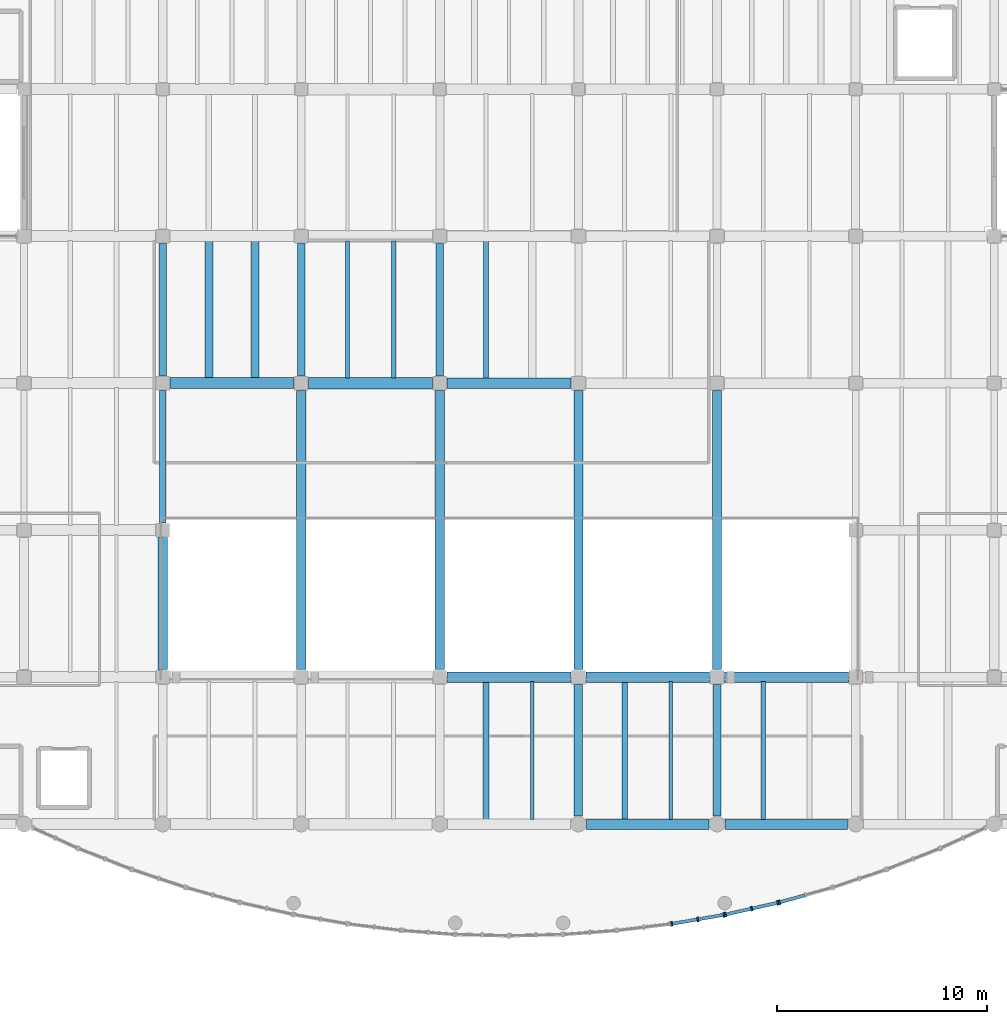
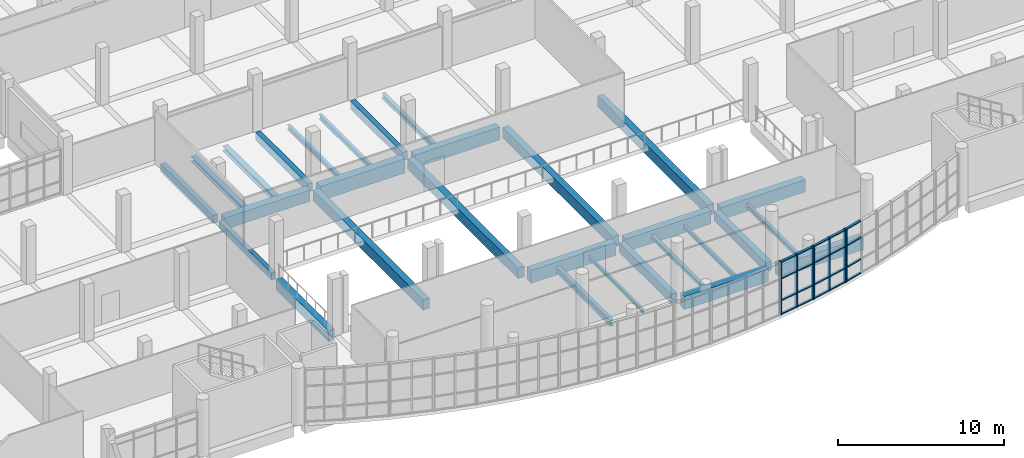
# One storey, part 13 of 68: 29 beams, 27 members, 3 elements without a shape of their own.
"""IFC4 building model written with IfcOpenShell, lengths in metres."""

from ifc_helpers import new_model, si_unit, direction, frame, origin, origin_2d, place, context, subcontext, project, spatial, rectangle, i_section, extrude, material, material_profile, profile_set, type_object, element, aggregate, save


model = new_model("IFC4")

# Units and contexts
model_context = context("Model", 3, precision=1e-05, world=origin(), true_north=direction((0.0, 1.0)))
body_context = subcontext(model_context, "Body", "Model", "MODEL_VIEW")
ifc_project = project(units=[si_unit("LENGTHUNIT", "METRE"), si_unit("AREAUNIT", "SQUARE_METRE"), si_unit("VOLUMEUNIT", "CUBIC_METRE"), si_unit("PLANEANGLEUNIT", "RADIAN"), si_unit("MASSUNIT", "GRAM", prefix="KILO")], contexts=[model_context])

# Site, building, storey
site_placement = place(None, origin())
site = spatial("IfcSite", under=ifc_project, at=site_placement, CompositionType="ELEMENT")
building_placement = place(site_placement, origin())
building = spatial("IfcBuilding", under=site, at=building_placement, Name="Ciguamira Faculty of Natural Sciences", CompositionType="ELEMENT")
storey_placement = place(building_placement, frame((0.0, 0.0, 4.199951171875)))
storey = spatial("IfcBuildingStorey", under=building, at=storey_placement, Name="L01", CompositionType="ELEMENT", Elevation=4.199951171875)

# Curtain wall, members
ifc_material_1 = material(Name="Anodized aluminium curtain wall", Category="aluminium")
curtain_wall_type_1 = type_object("IfcCurtainWallType", Name="CurtainWall_CW-12", PredefinedType="USERDEFINED", material=ifc_material_1)
curtain_wall_1_placement = place(storey_placement, origin())
curtain_wall_1 = element("IfcCurtainWall", 1, at=curtain_wall_1_placement, inside=storey, type_object=curtain_wall_type_1, Name="L01 south gallery curved curtain wall 13", ObjectType="UNITISED CURTAIN WALL", PredefinedType="USERDEFINED")
ifc_material_2 = material(Name="Anodized aluminium mullion", Category="aluminium")
ifc_material_profile_1 = material_profile(ifc_material_2, rectangle(XDim=0.080078125, YDim=0.219970703125, at=origin_2d()), Name="ALU-MUL-80X220")
ifc_profile_set_1 = profile_set([ifc_material_profile_1], Name="Anodized aluminium mullion")
member_type_1 = type_object("IfcMemberType", Name="CWMullion_CWM-03", PredefinedType="MULLION", material=ifc_profile_set_1)
member_1_placement = place(storey_placement, frame((94.739501953125, 5.25, 0.0), z_axis=(0.0, 0.0, 1.0), x_axis=(0.985410865099, 0.170192323402, 0.0)))
member_1 = element("IfcMember", 2, at=member_1_placement, type_object=member_type_1, Name="CW-12 mullion 1", PredefinedType="MULLION", context=body_context, shape_type="SweptSolid", body=[
    extrude(rectangle(XDim=0.080078125, YDim=0.219970703125, at=origin_2d()), origin(), (0.0, 0.0, 1.0), 3.900146484375),
])
member_2_placement = place(storey_placement, frame((95.9833984375, 5.46484375, 0.0), z_axis=(0.0, 0.0, 1.0), x_axis=(0.985410865099, 0.170192323402, 0.0)))
member_2 = element("IfcMember", 3, at=member_2_placement, type_object=member_type_1, Name="CW-12 mullion 2", PredefinedType="MULLION", context=body_context, shape_type="SweptSolid", body=[
    extrude(rectangle(XDim=0.080078125, YDim=0.219970703125, at=origin_2d()), origin(), (0.0, 0.0, 1.0), 3.900146484375),
])
member_3_placement = place(storey_placement, frame((97.227294921875, 5.6796875, 0.0), z_axis=(0.0, 0.0, 1.0), x_axis=(0.985410865099, 0.170192323402, 0.0)))
member_3 = element("IfcMember", 4, at=member_3_placement, type_object=member_type_1, Name="CW-12 mullion 3", PredefinedType="MULLION", context=body_context, shape_type="SweptSolid", body=[
    extrude(rectangle(XDim=0.080078125, YDim=0.219970703125, at=origin_2d()), origin(), (0.0, 0.0, 1.0), 3.900146484375),
])

curtain_wall_type_2 = type_object("IfcCurtainWallType", Name="CurtainWall_CW-01", PredefinedType="USERDEFINED", material=ifc_material_1)
curtain_wall_2_placement = place(storey_placement, origin())
curtain_wall_2 = element("IfcCurtainWall", 5, at=curtain_wall_2_placement, inside=storey, type_object=curtain_wall_type_2, Name="L01 south gallery curved curtain wall 14", ObjectType="UNITISED CURTAIN WALL", PredefinedType="USERDEFINED")
member_4_placement = place(storey_placement, frame((97.3056640625, 5.6953125, 0.0), z_axis=(0.0, 0.0, 1.0), x_axis=(0.975762990759, 0.218830038763, 0.0)))
member_4 = element("IfcMember", 6, at=member_4_placement, type_object=member_type_1, Name="CW-01 mullion 1", PredefinedType="MULLION", context=body_context, shape_type="SweptSolid", body=[
    extrude(rectangle(XDim=0.080078125, YDim=0.219970703125, at=origin_2d()), origin(), (0.0, 0.0, 1.0), 3.900146484375),
])
member_5_placement = place(storey_placement, frame((98.550048828125, 5.974365234375, 0.0), z_axis=(0.0, 0.0, 1.0), x_axis=(0.975762990759, 0.218830038763, 0.0)))
member_5 = element("IfcMember", 7, at=member_5_placement, type_object=member_type_1, Name="CW-01 mullion 2", PredefinedType="MULLION", context=body_context, shape_type="SweptSolid", body=[
    extrude(rectangle(XDim=0.080078125, YDim=0.219970703125, at=origin_2d()), origin(), (0.0, 0.0, 1.0), 3.900146484375),
])
member_6_placement = place(storey_placement, frame((99.794189453125, 6.25341796875, 0.0), z_axis=(0.0, 0.0, 1.0), x_axis=(0.975762990759, 0.218830038763, 0.0)))
member_6 = element("IfcMember", 8, at=member_6_placement, type_object=member_type_1, Name="CW-01 mullion 3", PredefinedType="MULLION", context=body_context, shape_type="SweptSolid", body=[
    extrude(rectangle(XDim=0.080078125, YDim=0.219970703125, at=origin_2d()), origin(), (0.0, 0.0, 1.0), 3.900146484375),
])

# Curtain wall, member
curtain_wall_type_3 = type_object("IfcCurtainWallType", Name="CurtainWall_CW-02", PredefinedType="USERDEFINED", material=ifc_material_1)
curtain_wall_3_placement = place(storey_placement, origin())
curtain_wall_3 = element("IfcCurtainWall", 9, at=curtain_wall_3_placement, inside=storey, type_object=curtain_wall_type_3, Name="L01 south gallery curved curtain wall 15", ObjectType="UNITISED CURTAIN WALL", PredefinedType="USERDEFINED")
member_7_placement = place(storey_placement, frame((99.871826171875, 6.272705078125, 0.0), z_axis=(0.0, 0.0, 1.0), x_axis=(0.963573286652, 0.267444426472, 0.0)))
member_7 = element("IfcMember", 10, at=member_7_placement, type_object=member_type_1, Name="CW-02 mullion 1", PredefinedType="MULLION", context=body_context, shape_type="SweptSolid", body=[
    extrude(rectangle(XDim=0.080078125, YDim=0.219970703125, at=origin_2d()), origin(), (0.0, 0.0, 1.0), 3.900146484375),
])

# Member
ifc_material_3 = material(Name="Anodized aluminium transom", Category="aluminium")
ifc_material_profile_2 = material_profile(ifc_material_3, rectangle(XDim=0.080078125, YDim=0.159912109375, at=origin_2d()), Name="ALU-TRN-80X160")
ifc_profile_set_2 = profile_set([ifc_material_profile_2], Name="Anodized aluminium transom")
member_type_2 = type_object("IfcMemberType", Name="CWTransom_CWT-03", PredefinedType="USERDEFINED", material=ifc_profile_set_2)
member_8_placement = place(storey_placement, frame((94.77880859375, 5.2568359375, 0.0400390625), z_axis=(0.985417162859, 0.170155855448, 0.0), x_axis=(0.0, 0.0, 1.0)))
member_8 = element("IfcMember", 11, at=member_8_placement, type_object=member_type_2, Name="CW-12 transom 1.1", ObjectType="TRANSOM", PredefinedType="USERDEFINED", context=body_context, shape_type="SweptSolid", body=[
    extrude(rectangle(XDim=0.080078125, YDim=0.159912109375, at=origin_2d()), origin(), (0.0, 0.0, 1.0), 1.182373046875),
])

member_9_placement = place(storey_placement, frame((94.77880859375, 5.2568359375, 1.050048828125), z_axis=(0.985417162859, 0.170155855448, 0.0), x_axis=(0.0, 0.0, 1.0)))
member_9 = element("IfcMember", 12, at=member_9_placement, type_object=member_type_2, Name="CW-12 transom 1.2", ObjectType="TRANSOM", PredefinedType="USERDEFINED", context=body_context, shape_type="SweptSolid", body=[
    extrude(rectangle(XDim=0.080078125, YDim=0.159912109375, at=origin_2d()), origin(), (0.0, 0.0, 1.0), 1.182373046875),
])

member_10_placement = place(storey_placement, frame((94.77880859375, 5.2568359375, 2.650146484375), z_axis=(0.985417162859, 0.170155855448, 0.0), x_axis=(0.0, 0.0, 1.0)))
member_10 = element("IfcMember", 13, at=member_10_placement, type_object=member_type_2, Name="CW-12 transom 1.3", ObjectType="TRANSOM", PredefinedType="USERDEFINED", context=body_context, shape_type="SweptSolid", body=[
    extrude(rectangle(XDim=0.080078125, YDim=0.159912109375, at=origin_2d()), origin(), (0.0, 0.0, 1.0), 1.182373046875),
])

member_11_placement = place(storey_placement, frame((94.77880859375, 5.2568359375, 3.860107421875), z_axis=(0.985417162859, 0.170155855448, 0.0), x_axis=(0.0, 0.0, 1.0)))
member_11 = element("IfcMember", 14, at=member_11_placement, type_object=member_type_2, Name="CW-12 transom 1.4", ObjectType="TRANSOM", PredefinedType="USERDEFINED", context=body_context, shape_type="SweptSolid", body=[
    extrude(rectangle(XDim=0.080078125, YDim=0.159912109375, at=origin_2d()), origin(), (0.0, 0.0, 1.0), 1.182373046875),
])

member_12_placement = place(storey_placement, frame((96.022705078125, 5.4716796875, 0.0400390625), z_axis=(0.985423139827, 0.170121237632, 0.0), x_axis=(0.0, 0.0, 1.0)))
member_12 = element("IfcMember", 15, at=member_12_placement, type_object=member_type_2, Name="CW-12 transom 2.1", ObjectType="TRANSOM", PredefinedType="USERDEFINED", context=body_context, shape_type="SweptSolid", body=[
    extrude(rectangle(XDim=0.080078125, YDim=0.159912109375, at=origin_2d()), origin(), (0.0, 0.0, 1.0), 1.1826171875),
])

member_13_placement = place(storey_placement, frame((96.022705078125, 5.4716796875, 1.050048828125), z_axis=(0.985423139827, 0.170121237632, 0.0), x_axis=(0.0, 0.0, 1.0)))
member_13 = element("IfcMember", 16, at=member_13_placement, type_object=member_type_2, Name="CW-12 transom 2.2", ObjectType="TRANSOM", PredefinedType="USERDEFINED", context=body_context, shape_type="SweptSolid", body=[
    extrude(rectangle(XDim=0.080078125, YDim=0.159912109375, at=origin_2d()), origin(), (0.0, 0.0, 1.0), 1.1826171875),
])

member_14_placement = place(storey_placement, frame((96.022705078125, 5.4716796875, 2.650146484375), z_axis=(0.985423139827, 0.170121237632, 0.0), x_axis=(0.0, 0.0, 1.0)))
member_14 = element("IfcMember", 17, at=member_14_placement, type_object=member_type_2, Name="CW-12 transom 2.3", ObjectType="TRANSOM", PredefinedType="USERDEFINED", context=body_context, shape_type="SweptSolid", body=[
    extrude(rectangle(XDim=0.080078125, YDim=0.159912109375, at=origin_2d()), origin(), (0.0, 0.0, 1.0), 1.1826171875),
])

member_15_placement = place(storey_placement, frame((96.022705078125, 5.4716796875, 3.860107421875), z_axis=(0.985423139827, 0.170121237632, 0.0), x_axis=(0.0, 0.0, 1.0)))
member_15 = element("IfcMember", 18, at=member_15_placement, type_object=member_type_2, Name="CW-12 transom 2.4", ObjectType="TRANSOM", PredefinedType="USERDEFINED", context=body_context, shape_type="SweptSolid", body=[
    extrude(rectangle(XDim=0.080078125, YDim=0.159912109375, at=origin_2d()), origin(), (0.0, 0.0, 1.0), 1.1826171875),
])

aggregate(curtain_wall_1, [member_1, member_2, member_3, member_8, member_9, member_10, member_11, member_12, member_13, member_14, member_15])

member_16_placement = place(storey_placement, frame((97.3447265625, 5.7041015625, 0.0400390625), z_axis=(0.97577679791, 0.218768463588, 0.0), x_axis=(0.0, 0.0, 1.0)))
member_16 = element("IfcMember", 19, at=member_16_placement, type_object=member_type_2, Name="CW-01 transom 1.1", ObjectType="TRANSOM", PredefinedType="USERDEFINED", context=body_context, shape_type="SweptSolid", body=[
    extrude(rectangle(XDim=0.080078125, YDim=0.159912109375, at=origin_2d()), origin(), (0.0, 0.0, 1.0), 1.1953125),
])

member_17_placement = place(storey_placement, frame((97.3447265625, 5.7041015625, 1.050048828125), z_axis=(0.97577679791, 0.218768463588, 0.0), x_axis=(0.0, 0.0, 1.0)))
member_17 = element("IfcMember", 20, at=member_17_placement, type_object=member_type_2, Name="CW-01 transom 1.2", ObjectType="TRANSOM", PredefinedType="USERDEFINED", context=body_context, shape_type="SweptSolid", body=[
    extrude(rectangle(XDim=0.080078125, YDim=0.159912109375, at=origin_2d()), origin(), (0.0, 0.0, 1.0), 1.1953125),
])

member_18_placement = place(storey_placement, frame((97.3447265625, 5.7041015625, 2.650146484375), z_axis=(0.97577679791, 0.218768463588, 0.0), x_axis=(0.0, 0.0, 1.0)))
member_18 = element("IfcMember", 21, at=member_18_placement, type_object=member_type_2, Name="CW-01 transom 1.3", ObjectType="TRANSOM", PredefinedType="USERDEFINED", context=body_context, shape_type="SweptSolid", body=[
    extrude(rectangle(XDim=0.080078125, YDim=0.159912109375, at=origin_2d()), origin(), (0.0, 0.0, 1.0), 1.1953125),
])

member_19_placement = place(storey_placement, frame((97.3447265625, 5.7041015625, 3.860107421875), z_axis=(0.97577679791, 0.218768463588, 0.0), x_axis=(0.0, 0.0, 1.0)))
member_19 = element("IfcMember", 22, at=member_19_placement, type_object=member_type_2, Name="CW-01 transom 1.4", ObjectType="TRANSOM", PredefinedType="USERDEFINED", context=body_context, shape_type="SweptSolid", body=[
    extrude(rectangle(XDim=0.080078125, YDim=0.159912109375, at=origin_2d()), origin(), (0.0, 0.0, 1.0), 1.1953125),
])

member_20_placement = place(storey_placement, frame((98.589111328125, 5.983154296875, 0.0400390625), z_axis=(0.975767018908, 0.218812076476, 0.0), x_axis=(0.0, 0.0, 1.0)))
member_20 = element("IfcMember", 23, at=member_20_placement, type_object=member_type_2, Name="CW-01 transom 2.1", ObjectType="TRANSOM", PredefinedType="USERDEFINED", context=body_context, shape_type="SweptSolid", body=[
    extrude(rectangle(XDim=0.080078125, YDim=0.159912109375, at=origin_2d()), origin(), (0.0, 0.0, 1.0), 1.195068359375),
])

member_21_placement = place(storey_placement, frame((98.589111328125, 5.983154296875, 1.050048828125), z_axis=(0.975767018908, 0.218812076476, 0.0), x_axis=(0.0, 0.0, 1.0)))
member_21 = element("IfcMember", 24, at=member_21_placement, type_object=member_type_2, Name="CW-01 transom 2.2", ObjectType="TRANSOM", PredefinedType="USERDEFINED", context=body_context, shape_type="SweptSolid", body=[
    extrude(rectangle(XDim=0.080078125, YDim=0.159912109375, at=origin_2d()), origin(), (0.0, 0.0, 1.0), 1.195068359375),
])

member_22_placement = place(storey_placement, frame((98.589111328125, 5.983154296875, 2.650146484375), z_axis=(0.975767018908, 0.218812076476, 0.0), x_axis=(0.0, 0.0, 1.0)))
member_22 = element("IfcMember", 25, at=member_22_placement, type_object=member_type_2, Name="CW-01 transom 2.3", ObjectType="TRANSOM", PredefinedType="USERDEFINED", context=body_context, shape_type="SweptSolid", body=[
    extrude(rectangle(XDim=0.080078125, YDim=0.159912109375, at=origin_2d()), origin(), (0.0, 0.0, 1.0), 1.195068359375),
])

member_23_placement = place(storey_placement, frame((98.589111328125, 5.983154296875, 3.860107421875), z_axis=(0.975767018908, 0.218812076476, 0.0), x_axis=(0.0, 0.0, 1.0)))
member_23 = element("IfcMember", 26, at=member_23_placement, type_object=member_type_2, Name="CW-01 transom 2.4", ObjectType="TRANSOM", PredefinedType="USERDEFINED", context=body_context, shape_type="SweptSolid", body=[
    extrude(rectangle(XDim=0.080078125, YDim=0.159912109375, at=origin_2d()), origin(), (0.0, 0.0, 1.0), 1.195068359375),
])

aggregate(curtain_wall_2, [member_4, member_5, member_6, member_16, member_17, member_18, member_19, member_20, member_21, member_22, member_23])

member_24_placement = place(storey_placement, frame((99.910400390625, 6.283447265625, 0.0400390625), z_axis=(0.963549650457, 0.267529570522, 0.0), x_axis=(0.0, 0.0, 1.0)))
member_24 = element("IfcMember", 27, at=member_24_placement, type_object=member_type_2, Name="CW-02 transom 1.1", ObjectType="TRANSOM", PredefinedType="USERDEFINED", context=body_context, shape_type="SweptSolid", body=[
    extrude(rectangle(XDim=0.080078125, YDim=0.159912109375, at=origin_2d()), origin(), (0.0, 0.0, 1.0), 1.2119140625),
])

member_25_placement = place(storey_placement, frame((99.910400390625, 6.283447265625, 1.050048828125), z_axis=(0.963549650457, 0.267529570522, 0.0), x_axis=(0.0, 0.0, 1.0)))
member_25 = element("IfcMember", 28, at=member_25_placement, type_object=member_type_2, Name="CW-02 transom 1.2", ObjectType="TRANSOM", PredefinedType="USERDEFINED", context=body_context, shape_type="SweptSolid", body=[
    extrude(rectangle(XDim=0.080078125, YDim=0.159912109375, at=origin_2d()), origin(), (0.0, 0.0, 1.0), 1.2119140625),
])

member_26_placement = place(storey_placement, frame((99.910400390625, 6.283447265625, 2.650146484375), z_axis=(0.963549650457, 0.267529570522, 0.0), x_axis=(0.0, 0.0, 1.0)))
member_26 = element("IfcMember", 29, at=member_26_placement, type_object=member_type_2, Name="CW-02 transom 1.3", ObjectType="TRANSOM", PredefinedType="USERDEFINED", context=body_context, shape_type="SweptSolid", body=[
    extrude(rectangle(XDim=0.080078125, YDim=0.159912109375, at=origin_2d()), origin(), (0.0, 0.0, 1.0), 1.2119140625),
])

member_27_placement = place(storey_placement, frame((99.910400390625, 6.283447265625, 3.860107421875), z_axis=(0.963549650457, 0.267529570522, 0.0), x_axis=(0.0, 0.0, 1.0)))
member_27 = element("IfcMember", 30, at=member_27_placement, type_object=member_type_2, Name="CW-02 transom 1.4", ObjectType="TRANSOM", PredefinedType="USERDEFINED", context=body_context, shape_type="SweptSolid", body=[
    extrude(rectangle(XDim=0.080078125, YDim=0.159912109375, at=origin_2d()), origin(), (0.0, 0.0, 1.0), 1.2119140625),
])

aggregate(curtain_wall_3, [member_7, member_24, member_25, member_26, member_27])

# Beams
ifc_material_4 = material(Name="Concrete C40/50", Category="concrete")
ifc_material_profile_3 = material_profile(ifc_material_4, rectangle(XDim=0.550048828125, YDim=1.050048828125, at=origin_2d()), Name="RC-BM-550X1050")
ifc_profile_set_3 = profile_set([ifc_material_profile_3], Name="Concrete C40/50")
beam_type_1 = type_object("IfcBeamType", Name="RCBeam_BG-01_RC-BM-550X1050", PredefinedType="BEAM", material=ifc_profile_set_3)
beam_1_placement = place(storey_placement, frame((77.449951171875, 31.0, -0.52490234375), z_axis=(1.0, 0.0, 0.0), x_axis=(0.0, 1.0, 0.0)))
element("IfcBeam", 31, at=beam_1_placement, inside=storey, type_object=beam_type_1, Name="L01 RC girder EW-0439", PredefinedType="BEAM", context=body_context, shape_type="SweptSolid", body=[
    extrude(rectangle(XDim=0.550048828125, YDim=1.050048828125, at=origin_2d()), origin(), (0.0, 0.0, 1.0), 5.900146484375),
])
ifc_material_profile_4 = material_profile(ifc_material_4, rectangle(XDim=0.5, YDim=0.949951171875, at=origin_2d()), Name="RC-BM-500X950")
ifc_profile_set_4 = profile_set([ifc_material_profile_4], Name="Concrete C40/50")
beam_type_2 = type_object("IfcBeamType", Name="RCBeam_BG-02_RC-BM-500X950", PredefinedType="BEAM", material=ifc_profile_set_4)
beam_2_placement = place(storey_placement, frame((90.675048828125, 10.0, -0.474853515625), z_axis=(1.0, 0.0, 0.0), x_axis=(0.0, 1.0, 0.0)))
element("IfcBeam", 32, at=beam_2_placement, inside=storey, type_object=beam_type_2, Name="L01 RC girder EW-0385", PredefinedType="BEAM", context=body_context, shape_type="SweptSolid", body=[
    extrude(rectangle(XDim=0.5, YDim=0.949951171875, at=origin_2d()), origin(), (0.0, 0.0, 1.0), 5.849853515625),
])
beam_3_placement = place(storey_placement, frame((84.050048828125, 17.0, -0.474853515625), z_axis=(1.0, 0.0, 0.0), x_axis=(0.0, 1.0, 0.0)))
element("IfcBeam", 33, at=beam_3_placement, inside=storey, type_object=beam_type_2, Name="L01 RC girder EW-0402", PredefinedType="BEAM", context=body_context, shape_type="SweptSolid", body=[
    extrude(rectangle(XDim=0.5, YDim=0.949951171875, at=origin_2d()), origin(), (0.0, 0.0, 1.0), 5.89990234375),
])
beam_4_placement = place(storey_placement, frame((90.64990234375, 17.0, -0.474853515625), z_axis=(1.0, 0.0, 0.0), x_axis=(0.0, 1.0, 0.0)))
element("IfcBeam", 34, at=beam_4_placement, inside=storey, type_object=beam_type_2, Name="L01 RC girder EW-0403", PredefinedType="BEAM", context=body_context, shape_type="SweptSolid", body=[
    extrude(rectangle(XDim=0.5, YDim=0.949951171875, at=origin_2d()), origin(), (0.0, 0.0, 1.0), 5.900146484375),
])
beam_5_placement = place(storey_placement, frame((84.050048828125, 31.0, -0.474853515625), z_axis=(1.0, 0.0, 0.0), x_axis=(0.0, 1.0, 0.0)))
element("IfcBeam", 35, at=beam_5_placement, inside=storey, type_object=beam_type_2, Name="L01 RC girder EW-0440", PredefinedType="BEAM", context=body_context, shape_type="SweptSolid", body=[
    extrude(rectangle(XDim=0.5, YDim=0.949951171875, at=origin_2d()), origin(), (0.0, 0.0, 1.0), 5.89990234375),
])
ifc_material_profile_5 = material_profile(ifc_material_4, rectangle(XDim=0.5, YDim=0.89990234375, at=origin_2d()), Name="RC-BM-500X900")
ifc_profile_set_5 = profile_set([ifc_material_profile_5], Name="Concrete C40/50")
beam_type_3 = type_object("IfcBeamType", Name="RCBeam_BG-03_RC-BM-500X900", PredefinedType="BEAM", material=ifc_profile_set_5)
beam_6_placement = place(storey_placement, frame((97.27490234375, 10.0, -0.449951171875), z_axis=(1.0, 0.0, 0.0), x_axis=(0.0, 1.0, 0.0)))
element("IfcBeam", 36, at=beam_6_placement, inside=storey, type_object=beam_type_3, Name="L01 RC girder EW-0386", PredefinedType="BEAM", context=body_context, shape_type="SweptSolid", body=[
    extrude(rectangle(XDim=0.5, YDim=0.89990234375, at=origin_2d()), origin(), (0.0, 0.0, 1.0), 5.85009765625),
])
beam_7_placement = place(storey_placement, frame((97.25, 17.0, -0.449951171875), z_axis=(1.0, 0.0, 0.0), x_axis=(0.0, 1.0, 0.0)))
element("IfcBeam", 37, at=beam_7_placement, inside=storey, type_object=beam_type_3, Name="L01 RC girder EW-0404", PredefinedType="BEAM", context=body_context, shape_type="SweptSolid", body=[
    extrude(rectangle(XDim=0.5, YDim=0.89990234375, at=origin_2d()), origin(), (0.0, 0.0, 1.0), 5.89990234375),
])
ifc_material_profile_6 = material_profile(ifc_material_4, rectangle(XDim=0.43994140625, YDim=0.780029296875, at=origin_2d()), Name="RC-BM-440X780")
ifc_profile_set_6 = profile_set([ifc_material_profile_6], Name="Concrete C40/50")
beam_type_4 = type_object("IfcBeamType", Name="RCBeam_BG-06_RC-BM-440X780", PredefinedType="BEAM", material=ifc_profile_set_6)
beam_8_placement = place(storey_placement, frame((70.5, 17.35009765625, -0.389892578125), z_axis=(0.0, 1.0, 0.0), x_axis=(-1.0, 0.0, 0.0)))
element("IfcBeam", 38, at=beam_8_placement, inside=storey, type_object=beam_type_4, Name="L01 girder NS-0596", PredefinedType="BEAM", context=body_context, shape_type="SweptSolid", body=[
    extrude(rectangle(XDim=0.43994140625, YDim=0.780029296875, at=origin_2d()), origin(), (0.0, 0.0, 1.0), 6.2998046875),
])
for number, where, z_axis, x_axis, name in (
    (39, (77.10009765625, 17.35009765625, -0.389892578125), (0.0, 1.0, 0.0), (-1.0, 0.0, 0.0), "L01 girder NS-0608"),
    (40, (83.699951171875, 17.35009765625, -0.389892578125), (0.0, 1.0, 0.0), (-1.0, 0.0, 0.0), "L01 girder NS-0619"),
    (41, (90.300048828125, 17.35009765625, -0.389892578125), (0.0, 1.0, 0.0), (-1.0, 0.0, 0.0), "L01 girder NS-0631"),
    (42, (96.89990234375, 17.35009765625, -0.389892578125), (0.0, 1.0, 0.0), (-1.0, 0.0, 0.0), "L01 girder NS-0643"),
):
    element("IfcBeam", number, at=place(storey_placement, frame(where, z_axis=z_axis, x_axis=x_axis)), inside=storey, type_object=beam_type_4, Name=name, PredefinedType="BEAM", context=body_context, shape_type="SweptSolid", body=[
        extrude(rectangle(XDim=0.43994140625, YDim=0.780029296875, at=origin_2d()), origin(), (0.0, 0.0, 1.0), 13.2998046875),
    ])
ifc_material_profile_7 = material_profile(ifc_material_4, rectangle(XDim=0.39990234375, YDim=0.699951171875, at=origin_2d()), Name="RC-BM-400X700")
ifc_profile_set_7 = profile_set([ifc_material_profile_7], Name="Concrete C40/50")
beam_type_5 = type_object("IfcBeamType", Name="RCBeam_BG-08_RC-BM-400X700", PredefinedType="BEAM", material=ifc_profile_set_7)
for number, where, z_axis, x_axis, name in (
    (43, (90.300048828125, 10.375, -0.349853515625), (0.0, 1.0, 0.0), (-1.0, 0.0, 0.0), "L01 girder NS-0630"),
    (44, (96.89990234375, 10.375, -0.349853515625), (0.0, 1.0, 0.0), (-1.0, 0.0, 0.0), "L01 girder NS-0642"),
):
    element("IfcBeam", number, at=place(storey_placement, frame(where, z_axis=z_axis, x_axis=x_axis)), inside=storey, type_object=beam_type_5, Name=name, PredefinedType="BEAM", context=body_context, shape_type="SweptSolid", body=[
        extrude(rectangle(XDim=0.39990234375, YDim=0.699951171875, at=origin_2d()), origin(), (0.0, 0.0, 1.0), 6.27490234375),
    ])
ifc_material_profile_8 = material_profile(ifc_material_4, rectangle(XDim=0.35009765625, YDim=0.60009765625, at=origin_2d()), Name="RC-BM-350X600")
ifc_profile_set_8 = profile_set([ifc_material_profile_8], Name="Concrete C40/50")
beam_type_6 = type_object("IfcBeamType", Name="RCBeam_BG-11_RC-BM-350X600", PredefinedType="BEAM", material=ifc_profile_set_8)
for number, where, z_axis, x_axis, name in (
    (45, (70.5, 31.35009765625, -0.300048828125), (0.0, 1.0, 0.0), (-1.0, 0.0, 0.0), "L01 girder NS-0598"),
    (46, (77.10009765625, 31.35009765625, -0.300048828125), (0.0, 1.0, 0.0), (-1.0, 0.0, 0.0), "L01 girder NS-0609"),
    (47, (83.699951171875, 31.35009765625, -0.300048828125), (0.0, 1.0, 0.0), (-1.0, 0.0, 0.0), "L01 girder NS-0620"),
):
    element("IfcBeam", number, at=place(storey_placement, frame(where, z_axis=z_axis, x_axis=x_axis)), inside=storey, type_object=beam_type_6, Name=name, PredefinedType="BEAM", context=body_context, shape_type="SweptSolid", body=[
        extrude(rectangle(XDim=0.35009765625, YDim=0.60009765625, at=origin_2d()), origin(), (0.0, 0.0, 1.0), 6.2998046875),
    ])
ifc_material_profile_9 = material_profile(ifc_material_4, rectangle(XDim=0.300048828125, YDim=0.52001953125, at=origin_2d()), Name="RC-BM-300X520")
ifc_profile_set_9 = profile_set([ifc_material_profile_9], Name="Concrete C40/50")
beam_type_7 = type_object("IfcBeamType", Name="RCBeam_BG-13_RC-BM-300X520", PredefinedType="BEAM", material=ifc_profile_set_9)
beam_9_placement = place(storey_placement, frame((70.5, 24.35009765625, -0.260009765625), z_axis=(0.0, 1.0, 0.0), x_axis=(-1.0, 0.0, 0.0)))
element("IfcBeam", 48, at=beam_9_placement, inside=storey, type_object=beam_type_7, Name="L01 girder NS-0597", PredefinedType="BEAM", context=body_context, shape_type="SweptSolid", body=[
    extrude(rectangle(XDim=0.300048828125, YDim=0.52001953125, at=origin_2d()), origin(), (0.0, 0.0, 1.0), 6.2998046875),
])
ifc_material_profile_10 = material_profile(ifc_material_4, rectangle(XDim=0.52001953125, YDim=0.840087890625, at=origin_2d()), Name="RC-TB-520X840")
ifc_profile_set_10 = profile_set([ifc_material_profile_10], Name="Concrete C40/50")
beam_type_8 = type_object("IfcBeamType", Name="RCBeam_TB-02_RC-TB-520X840", PredefinedType="T_BEAM", material=ifc_profile_set_10)
beam_10_placement = place(storey_placement, frame((70.85009765625, 31.0, -0.419921875), z_axis=(1.0, 0.0, 0.0), x_axis=(0.0, 1.0, 0.0)))
element("IfcBeam", 49, at=beam_10_placement, inside=storey, type_object=beam_type_8, Name="L01 RC girder EW-0438", PredefinedType="T_BEAM", context=body_context, shape_type="SweptSolid", body=[
    extrude(rectangle(XDim=0.52001953125, YDim=0.840087890625, at=origin_2d()), origin(), (0.0, 0.0, 1.0), 5.89990234375),
])
ifc_material_5 = material(Name="Steel ASTM A992 Grade 50", Category="steel")
ifc_material_profile_11 = material_profile(ifc_material_5, i_section(OverallWidth=0.14599609375, OverallDepth=0.259033203125, WebThickness=0.006103515625, FlangeThickness=0.009033203125, at=origin_2d()), Name="W10X22")
ifc_profile_set_11 = profile_set([ifc_material_profile_11], Name="Steel ASTM A992 Grade 50")
beam_type_9 = type_object("IfcBeamType", Name="SteelJoist_SJ-01_W10X22", PredefinedType="JOIST", material=ifc_profile_set_11)
beam_11_placement = place(storey_placement, frame((88.10009765625, 10.2099609375, -0.429443359375), z_axis=(0.0, 1.0, 0.0), x_axis=(-1.0, 0.0, 0.0)))
element("IfcBeam", 50, at=beam_11_placement, inside=storey, type_object=beam_type_9, Name="L01 composite steel joist 00495", PredefinedType="JOIST", context=body_context, shape_type="SweptSolid", body=[
    extrude(i_section(OverallWidth=0.14599609375, OverallDepth=0.259033203125, WebThickness=0.006103515625, FlangeThickness=0.009033203125, at=origin_2d()), origin(), (0.0, 0.0, 1.0), 6.580078125),
])
ifc_material_profile_12 = material_profile(ifc_material_5, i_section(OverallWidth=0.25390625, OverallDepth=0.25390625, WebThickness=0.008544921875, FlangeThickness=0.01416015625, at=origin_2d()), Name="W10X49")
ifc_profile_set_12 = profile_set([ifc_material_profile_12], Name="Steel ASTM A992 Grade 50")
beam_type_10 = type_object("IfcBeamType", Name="SteelJoist_SJ-03_W10X49", PredefinedType="JOIST", material=ifc_profile_set_12)
beam_12_placement = place(storey_placement, frame((92.5, 10.2099609375, -0.427001953125), z_axis=(0.0, 1.0, 0.0), x_axis=(-1.0, 0.0, 0.0)))
element("IfcBeam", 51, at=beam_12_placement, inside=storey, type_object=beam_type_10, Name="L01 composite steel joist 00519", PredefinedType="JOIST", context=body_context, shape_type="SweptSolid", body=[
    extrude(i_section(OverallWidth=0.25390625, OverallDepth=0.25390625, WebThickness=0.008544921875, FlangeThickness=0.01416015625, at=origin_2d()), origin(), (0.0, 0.0, 1.0), 6.580078125),
])
ifc_material_profile_13 = material_profile(ifc_material_5, i_section(OverallWidth=0.164794921875, OverallDepth=0.309814453125, WebThickness=0.005859375, FlangeThickness=0.009765625, at=origin_2d()), Name="W12X26")
ifc_profile_set_13 = profile_set([ifc_material_profile_13], Name="Steel ASTM A992 Grade 50")
beam_type_11 = type_object("IfcBeamType", Name="SteelJoist_SJ-04_W12X26", PredefinedType="JOIST", material=ifc_profile_set_13)
beam_13_placement = place(storey_placement, frame((94.699951171875, 10.2099609375, -0.454833984375), z_axis=(0.0, 1.0, 0.0), x_axis=(-1.0, 0.0, 0.0)))
element("IfcBeam", 52, at=beam_13_placement, inside=storey, type_object=beam_type_11, Name="L01 composite steel joist 00520", PredefinedType="JOIST", context=body_context, shape_type="SweptSolid", body=[
    extrude(i_section(OverallWidth=0.164794921875, OverallDepth=0.309814453125, WebThickness=0.005859375, FlangeThickness=0.009765625, at=origin_2d()), origin(), (0.0, 0.0, 1.0), 6.580078125),
])
ifc_material_profile_14 = material_profile(ifc_material_5, i_section(OverallWidth=0.20458984375, OverallDepth=0.307373046875, WebThickness=0.008544921875, FlangeThickness=0.0146484375, at=origin_2d()), Name="W12X45")
ifc_profile_set_14 = profile_set([ifc_material_profile_14], Name="Steel ASTM A992 Grade 50")
beam_type_12 = type_object("IfcBeamType", Name="SteelJoist_SJ-06_W12X45", PredefinedType="JOIST", material=ifc_profile_set_14)
beam_14_placement = place(storey_placement, frame((99.10009765625, 10.2099609375, -0.45361328125), z_axis=(0.0, 1.0, 0.0), x_axis=(-1.0, 0.0, 0.0)))
element("IfcBeam", 53, at=beam_14_placement, inside=storey, type_object=beam_type_12, Name="L01 composite steel joist 00545", PredefinedType="JOIST", context=body_context, shape_type="SweptSolid", body=[
    extrude(i_section(OverallWidth=0.20458984375, OverallDepth=0.307373046875, WebThickness=0.008544921875, FlangeThickness=0.0146484375, at=origin_2d()), origin(), (0.0, 0.0, 1.0), 6.580078125),
])
ifc_material_profile_15 = material_profile(ifc_material_5, i_section(OverallWidth=0.370849609375, OverallDepth=0.36328125, WebThickness=0.013427734375, FlangeThickness=0.021728515625, at=origin_2d()), Name="W14X109")
ifc_profile_set_15 = profile_set([ifc_material_profile_15], Name="Steel ASTM A992 Grade 50")
beam_type_13 = type_object("IfcBeamType", Name="SteelJoist_SJ-09_W14X109", PredefinedType="JOIST", material=ifc_profile_set_15)
beam_15_placement = place(storey_placement, frame((72.699951171875, 31.219970703125, -0.4814453125), z_axis=(0.0, 1.0, 0.0), x_axis=(-1.0, 0.0, 0.0)))
element("IfcBeam", 54, at=beam_15_placement, inside=storey, type_object=beam_type_13, Name="L01 composite steel joist 00445", PredefinedType="JOIST", context=body_context, shape_type="SweptSolid", body=[
    extrude(i_section(OverallWidth=0.370849609375, OverallDepth=0.36328125, WebThickness=0.013427734375, FlangeThickness=0.021728515625, at=origin_2d()), origin(), (0.0, 0.0, 1.0), 6.56005859375),
])
ifc_material_profile_16 = material_profile(ifc_material_5, i_section(OverallWidth=0.373291015625, OverallDepth=0.373291015625, WebThickness=0.016357421875, FlangeThickness=0.026123046875, at=origin_2d()), Name="W14X132")
ifc_profile_set_16 = profile_set([ifc_material_profile_16], Name="Steel ASTM A992 Grade 50")
beam_type_14 = type_object("IfcBeamType", Name="SteelJoist_SJ-10_W14X132", PredefinedType="JOIST", material=ifc_profile_set_16)
beam_16_placement = place(storey_placement, frame((74.89990234375, 31.219970703125, -0.486572265625), z_axis=(0.0, 1.0, 0.0), x_axis=(-1.0, 0.0, 0.0)))
element("IfcBeam", 55, at=beam_16_placement, inside=storey, type_object=beam_type_14, Name="L01 composite steel joist 00446", PredefinedType="JOIST", context=body_context, shape_type="SweptSolid", body=[
    extrude(i_section(OverallWidth=0.373291015625, OverallDepth=0.373291015625, WebThickness=0.016357421875, FlangeThickness=0.026123046875, at=origin_2d()), origin(), (0.0, 0.0, 1.0), 6.56005859375),
])
ifc_material_profile_17 = material_profile(ifc_material_5, i_section(OverallWidth=0.203125, OverallDepth=0.347900390625, WebThickness=0.0078125, FlangeThickness=0.013427734375, at=origin_2d()), Name="W14X43")
ifc_profile_set_17 = profile_set([ifc_material_profile_17], Name="Steel ASTM A992 Grade 50")
beam_type_15 = type_object("IfcBeamType", Name="SteelJoist_SJ-12_W14X43", PredefinedType="JOIST", material=ifc_profile_set_17)
beam_17_placement = place(storey_placement, frame((79.300048828125, 31.235107421875, -0.473876953125), z_axis=(0.0, 1.0, 0.0), x_axis=(-1.0, 0.0, 0.0)))
element("IfcBeam", 56, at=beam_17_placement, inside=storey, type_object=beam_type_15, Name="L01 composite steel joist 00470", PredefinedType="JOIST", context=body_context, shape_type="SweptSolid", body=[
    extrude(i_section(OverallWidth=0.203125, OverallDepth=0.347900390625, WebThickness=0.0078125, FlangeThickness=0.013427734375, at=origin_2d()), origin(), (0.0, 0.0, 1.0), 6.52978515625),
])
ifc_material_profile_18 = material_profile(ifc_material_5, i_section(OverallWidth=0.204833984375, OverallDepth=0.35302734375, WebThickness=0.00927734375, FlangeThickness=0.016845703125, at=origin_2d()), Name="W14X53")
ifc_profile_set_18 = profile_set([ifc_material_profile_18], Name="Steel ASTM A992 Grade 50")
beam_type_16 = type_object("IfcBeamType", Name="SteelJoist_SJ-13_W14X53", PredefinedType="JOIST", material=ifc_profile_set_18)
beam_18_placement = place(storey_placement, frame((81.5, 31.235107421875, -0.4765625), z_axis=(0.0, 1.0, 0.0), x_axis=(-1.0, 0.0, 0.0)))
element("IfcBeam", 57, at=beam_18_placement, inside=storey, type_object=beam_type_16, Name="L01 composite steel joist 00471", PredefinedType="JOIST", context=body_context, shape_type="SweptSolid", body=[
    extrude(i_section(OverallWidth=0.204833984375, OverallDepth=0.35302734375, WebThickness=0.00927734375, FlangeThickness=0.016845703125, at=origin_2d()), origin(), (0.0, 0.0, 1.0), 6.52978515625),
])
ifc_material_profile_19 = material_profile(ifc_material_5, i_section(OverallWidth=0.256591796875, OverallDepth=0.36328125, WebThickness=0.012939453125, FlangeThickness=0.021728515625, at=origin_2d()), Name="W14X82")
ifc_profile_set_19 = profile_set([ifc_material_profile_19], Name="Steel ASTM A992 Grade 50")
beam_type_17 = type_object("IfcBeamType", Name="SteelJoist_SJ-15_W14X82", PredefinedType="JOIST", material=ifc_profile_set_19)
beam_19_placement = place(storey_placement, frame((85.89990234375, 31.2099609375, -0.4814453125), z_axis=(0.0, 1.0, 0.0), x_axis=(-1.0, 0.0, 0.0)))
element("IfcBeam", 58, at=beam_19_placement, inside=storey, type_object=beam_type_17, Name="L01 composite steel joist 00496", PredefinedType="JOIST", context=body_context, shape_type="SweptSolid", body=[
    extrude(i_section(OverallWidth=0.256591796875, OverallDepth=0.36328125, WebThickness=0.012939453125, FlangeThickness=0.021728515625, at=origin_2d()), origin(), (0.0, 0.0, 1.0), 6.580078125),
])
ifc_material_profile_20 = material_profile(ifc_material_5, i_section(OverallWidth=0.279296875, OverallDepth=0.462158203125, WebThickness=0.0107421875, FlangeThickness=0.017333984375, at=origin_2d()), Name="W18X76")
ifc_profile_set_20 = profile_set([ifc_material_profile_20], Name="Steel ASTM A992 Grade 50")
beam_type_18 = type_object("IfcBeamType", Name="SteelJoist_SJ-25_W18X76", PredefinedType="JOIST", material=ifc_profile_set_20)
beam_20_placement = place(storey_placement, frame((85.89990234375, 10.2099609375, -0.531005859375), z_axis=(0.0, 1.0, 0.0), x_axis=(-1.0, 0.0, 0.0)))
element("IfcBeam", 59, at=beam_20_placement, inside=storey, type_object=beam_type_18, Name="L01 composite steel joist 00494", PredefinedType="JOIST", context=body_context, shape_type="SweptSolid", body=[
    extrude(i_section(OverallWidth=0.279296875, OverallDepth=0.462158203125, WebThickness=0.0107421875, FlangeThickness=0.017333984375, at=origin_2d()), origin(), (0.0, 0.0, 1.0), 6.580078125),
])

save(model, "model.ifc")
